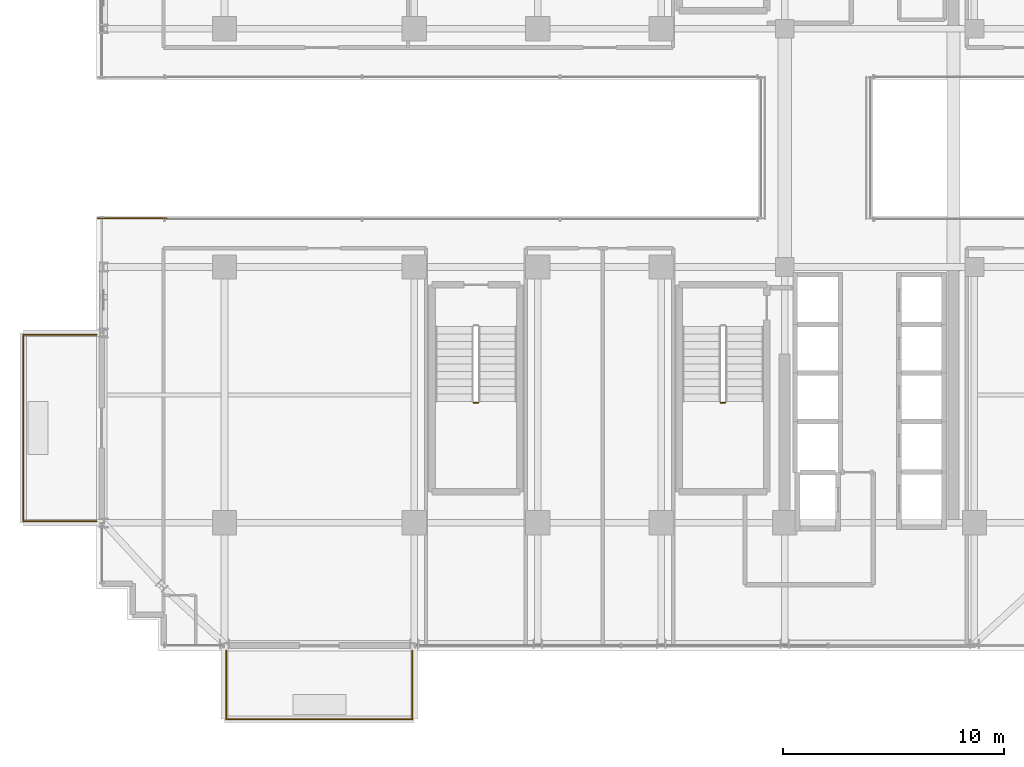
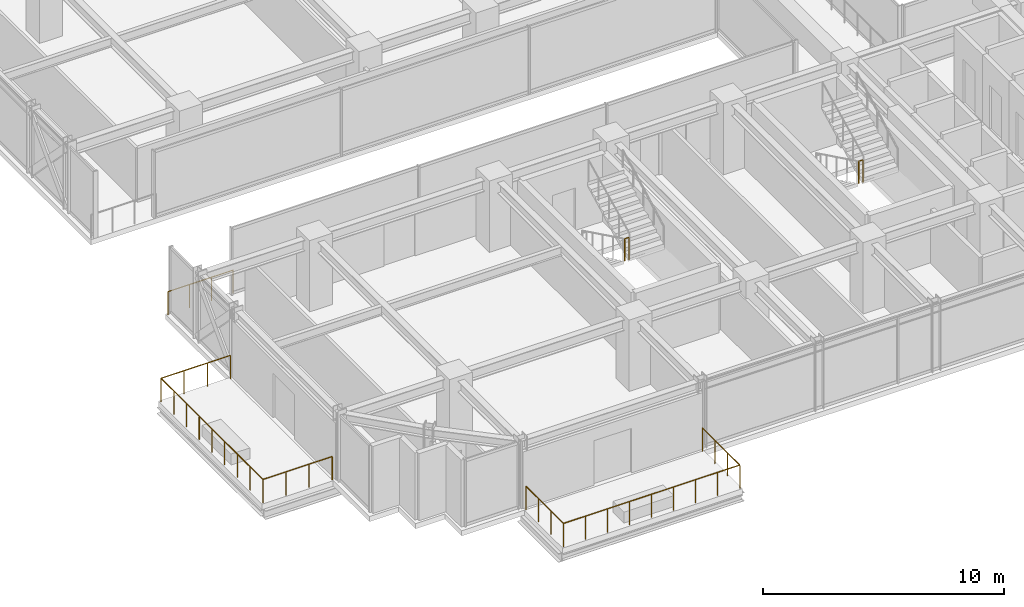
# One storey, part 33 of 36: 5 railings.
"""IFC4 building model written with IfcOpenShell, lengths in metres."""

from ifc_helpers import new_model, si_unit, direction, frame, origin, origin_2d, place, context, subcontext, project, spatial, circle, extrude, material, type_object, element, save


model = new_model("IFC4")

# Units and contexts
model_context = context("Model", 3, precision=1e-05, world=origin(), true_north=direction((0.0, 1.0)))
body_context = subcontext(model_context, "Body", "Model", "MODEL_VIEW")
ifc_project = project(units=[si_unit("LENGTHUNIT", "METRE"), si_unit("AREAUNIT", "SQUARE_METRE"), si_unit("VOLUMEUNIT", "CUBIC_METRE"), si_unit("PLANEANGLEUNIT", "RADIAN"), si_unit("MASSUNIT", "GRAM", prefix="KILO")], contexts=[model_context])

# Site, building, storey
site_placement = place(None, origin())
site = spatial("IfcSite", under=ifc_project, at=site_placement, CompositionType="ELEMENT")
building_placement = place(site_placement, origin())
building = spatial("IfcBuilding", under=site, at=building_placement, Name="Nahalor Promenade Grand Hotel", CompositionType="ELEMENT")
storey_placement = place(building_placement, frame((0.0, 0.0, 170.89990234375)))
storey = spatial("IfcBuildingStorey", under=building, at=storey_placement, Name="L43", CompositionType="ELEMENT", Elevation=170.89990234375)

# Railings
ifc_material_1 = material(Name="Anodised Bronze Aluminium EN AW-6063 T6", Category="aluminium")
railing_type_1 = type_object("IfcRailingType", Name="Bronze Balcony Guardrail 1200 mm", PredefinedType="GUARDRAIL", material=ifc_material_1)
railing_1_placement = place(storey_placement, frame((-22.739990234375, -3.199951171875, 0.0)))
element("IfcRailing", 1, at=railing_1_placement, inside=storey, type_object=railing_type_1, Name="L43 Oculus Void Edge Guardrail WS", PredefinedType="GUARDRAIL", context=body_context, shape_type="SweptSolid", body=[
    extrude(circle(Radius=0.024048, at=origin_2d()), frame((0.0, 0.0, 1.17578125), z_axis=(1.0, 0.0, 0.0), x_axis=(0.0, 1.0, 0.0)), (0.0, 0.0, 1.0), 3.119873046875),
    extrude(circle(Radius=0.020996, at=origin_2d()), origin(), (0.0, 0.0, 1.0), 1.14990234375),
    extrude(circle(Radius=0.020996, at=origin_2d()), frame((1.0400390625, 0.0, 0.0)), (0.0, 0.0, 1.0), 1.14990234375),
    extrude(circle(Radius=0.020996, at=origin_2d()), frame((2.079833984375, 0.0, 0.0)), (0.0, 0.0, 1.0), 1.14990234375),
    extrude(circle(Radius=0.020996, at=origin_2d()), frame((3.119873046875, 0.0, 0.0)), (0.0, 0.0, 1.0), 1.14990234375),
])
railing_2_placement = place(storey_placement, frame((-16.919921875, -22.800048828125, 0.0)))
element("IfcRailing", 2, at=railing_2_placement, inside=storey, type_object=railing_type_1, Name="L43 Balcony Guardrail 1", PredefinedType="GUARDRAIL", context=body_context, shape_type="SweptSolid", body=[
    extrude(circle(Radius=0.024048, at=origin_2d()), frame((0.0, 0.0, 1.17578125), z_axis=(0.0, -1.0, 0.0), x_axis=(1.0, 0.0, 0.0)), (0.0, 0.0, 1.0), 3.097900390625),
    extrude(circle(Radius=0.024048, at=origin_2d()), frame((0.001953125, -3.099853515625, 1.17578125), z_axis=(1.0, 0.0, 0.0), x_axis=(0.0, 1.0, 0.0)), (0.0, 0.0, 1.0), 8.43603515625),
    extrude(circle(Radius=0.024048, at=origin_2d()), frame((8.43994140625, -3.097900390625, 1.17578125), z_axis=(0.0, 1.0, 0.0), x_axis=(-1.0, 0.0, 0.0)), (0.0, 0.0, 1.0), 3.097900390625),
    extrude(circle(Radius=0.020996, at=origin_2d()), origin(), (0.0, 0.0, 1.0), 1.14990234375),
    extrude(circle(Radius=0.020996, at=origin_2d()), frame((0.0, -1.033203125, 0.0)), (0.0, 0.0, 1.0), 1.14990234375),
    extrude(circle(Radius=0.020996, at=origin_2d()), frame((0.0, -2.066650390625, 0.0)), (0.0, 0.0, 1.0), 1.14990234375),
    extrude(circle(Radius=0.020996, at=origin_2d()), frame((0.0, -3.099853515625, 0.0)), (0.0, 0.0, 1.0), 1.14990234375),
    extrude(circle(Radius=0.020996, at=origin_2d()), frame((1.054931640625, -3.099853515625, 0.0)), (0.0, 0.0, 1.0), 1.14990234375),
    extrude(circle(Radius=0.020996, at=origin_2d()), frame((2.10986328125, -3.099853515625, 0.0)), (0.0, 0.0, 1.0), 1.14990234375),
    extrude(circle(Radius=0.020996, at=origin_2d()), frame((3.1650390625, -3.099853515625, 0.0)), (0.0, 0.0, 1.0), 1.14990234375),
    extrude(circle(Radius=0.020996, at=origin_2d()), frame((4.219970703125, -3.099853515625, 0.0)), (0.0, 0.0, 1.0), 1.14990234375),
    extrude(circle(Radius=0.020996, at=origin_2d()), frame((5.27490234375, -3.099853515625, 0.0)), (0.0, 0.0, 1.0), 1.14990234375),
    extrude(circle(Radius=0.020996, at=origin_2d()), frame((6.330078125, -3.099853515625, 0.0)), (0.0, 0.0, 1.0), 1.14990234375),
    extrude(circle(Radius=0.020996, at=origin_2d()), frame((7.385009765625, -3.099853515625, 0.0)), (0.0, 0.0, 1.0), 1.14990234375),
    extrude(circle(Radius=0.020996, at=origin_2d()), frame((8.43994140625, -3.099853515625, 0.0)), (0.0, 0.0, 1.0), 1.14990234375),
    extrude(circle(Radius=0.020996, at=origin_2d()), frame((8.43994140625, -2.066650390625, 0.0)), (0.0, 0.0, 1.0), 1.14990234375),
    extrude(circle(Radius=0.020996, at=origin_2d()), frame((8.43994140625, -1.033203125, 0.0)), (0.0, 0.0, 1.0), 1.14990234375),
    extrude(circle(Radius=0.020996, at=origin_2d()), frame((8.43994140625, 0.0, 0.0)), (0.0, 0.0, 1.0), 1.14990234375),
])
railing_3_placement = place(storey_placement, frame((-22.800048828125, -16.919921875, 0.0)))
element("IfcRailing", 3, at=railing_3_placement, inside=storey, type_object=railing_type_1, Name="L43 Balcony Guardrail 2", PredefinedType="GUARDRAIL", context=body_context, shape_type="SweptSolid", body=[
    extrude(circle(Radius=0.024048, at=origin_2d()), frame((0.0, 0.0, 1.17578125), z_axis=(-1.0, 0.0, 0.0), x_axis=(0.0, -1.0, 0.0)), (0.0, 0.0, 1.0), 3.318115234375),
    extrude(circle(Radius=0.024048, at=origin_2d()), frame((-3.320068359375, 0.001953125, 1.17578125), z_axis=(0.0, 1.0, 0.0), x_axis=(-1.0, 0.0, 0.0)), (0.0, 0.0, 1.0), 8.43603515625),
    extrude(circle(Radius=0.024048, at=origin_2d()), frame((-3.318115234375, 8.43994140625, 1.17578125), z_axis=(1.0, 0.0, 0.0), x_axis=(0.0, 1.0, 0.0)), (0.0, 0.0, 1.0), 3.318115234375),
    extrude(circle(Radius=0.020996, at=origin_2d()), origin(), (0.0, 0.0, 1.0), 1.14990234375),
    extrude(circle(Radius=0.020996, at=origin_2d()), frame((-1.106689453125, 0.0, 0.0)), (0.0, 0.0, 1.0), 1.14990234375),
    extrude(circle(Radius=0.020996, at=origin_2d()), frame((-2.21337890625, 0.0, 0.0)), (0.0, 0.0, 1.0), 1.14990234375),
    extrude(circle(Radius=0.020996, at=origin_2d()), frame((-3.320068359375, 0.0, 0.0)), (0.0, 0.0, 1.0), 1.14990234375),
    extrude(circle(Radius=0.020996, at=origin_2d()), frame((-3.320068359375, 1.054931640625, 0.0)), (0.0, 0.0, 1.0), 1.14990234375),
    extrude(circle(Radius=0.020996, at=origin_2d()), frame((-3.320068359375, 2.10986328125, 0.0)), (0.0, 0.0, 1.0), 1.14990234375),
    extrude(circle(Radius=0.020996, at=origin_2d()), frame((-3.320068359375, 3.1650390625, 0.0)), (0.0, 0.0, 1.0), 1.14990234375),
    extrude(circle(Radius=0.020996, at=origin_2d()), frame((-3.320068359375, 4.219970703125, 0.0)), (0.0, 0.0, 1.0), 1.14990234375),
    extrude(circle(Radius=0.020996, at=origin_2d()), frame((-3.320068359375, 5.27490234375, 0.0)), (0.0, 0.0, 1.0), 1.14990234375),
    extrude(circle(Radius=0.020996, at=origin_2d()), frame((-3.320068359375, 6.330078125, 0.0)), (0.0, 0.0, 1.0), 1.14990234375),
    extrude(circle(Radius=0.020996, at=origin_2d()), frame((-3.320068359375, 7.385009765625, 0.0)), (0.0, 0.0, 1.0), 1.14990234375),
    extrude(circle(Radius=0.020996, at=origin_2d()), frame((-3.320068359375, 8.43994140625, 0.0)), (0.0, 0.0, 1.0), 1.14990234375),
    extrude(circle(Radius=0.020996, at=origin_2d()), frame((-2.21337890625, 8.43994140625, 0.0)), (0.0, 0.0, 1.0), 1.14990234375),
    extrude(circle(Radius=0.020996, at=origin_2d()), frame((-1.106689453125, 8.43994140625, 0.0)), (0.0, 0.0, 1.0), 1.14990234375),
    extrude(circle(Radius=0.020996, at=origin_2d()), frame((0.0, 8.43994140625, 0.0)), (0.0, 0.0, 1.0), 1.14990234375),
])
ifc_material_2 = material(Name="Steel S355JR", Category="steel")
railing_type_2 = type_object("IfcRailingType", Name="Steel Stair Guardrail 1150 mm", PredefinedType="GUARDRAIL", material=ifc_material_2)
for number, where, name in (
    (4, (5.5, -11.550048828125, 1.8251953125), "L43 ST2 stair guard 2"),
    (5, (-5.699951171875, -11.550048828125, 1.8251953125), "L43 ST3 stair guard 2"),
):
    element("IfcRailing", number, at=place(storey_placement, frame(where)), inside=storey, type_object=railing_type_2, Name=name, PredefinedType="GUARDRAIL", context=body_context, shape_type="SweptSolid", body=[
        extrude(circle(Radius=0.024048, at=origin_2d()), frame((0.0, 0.0, 1.1259765625), z_axis=(1.0, 0.0, 0.0), x_axis=(0.0, 1.0, 0.0)), (0.0, 0.0, 1.0), 0.199951171875),
        extrude(circle(Radius=0.020996, at=origin_2d()), origin(), (0.0, 0.0, 1.0), 1.099853515625),
        extrude(circle(Radius=0.020996, at=origin_2d()), frame((0.199951171875, 0.0, 0.0)), (0.0, 0.0, 1.0), 1.099853515625),
    ])

save(model, "model.ifc")
